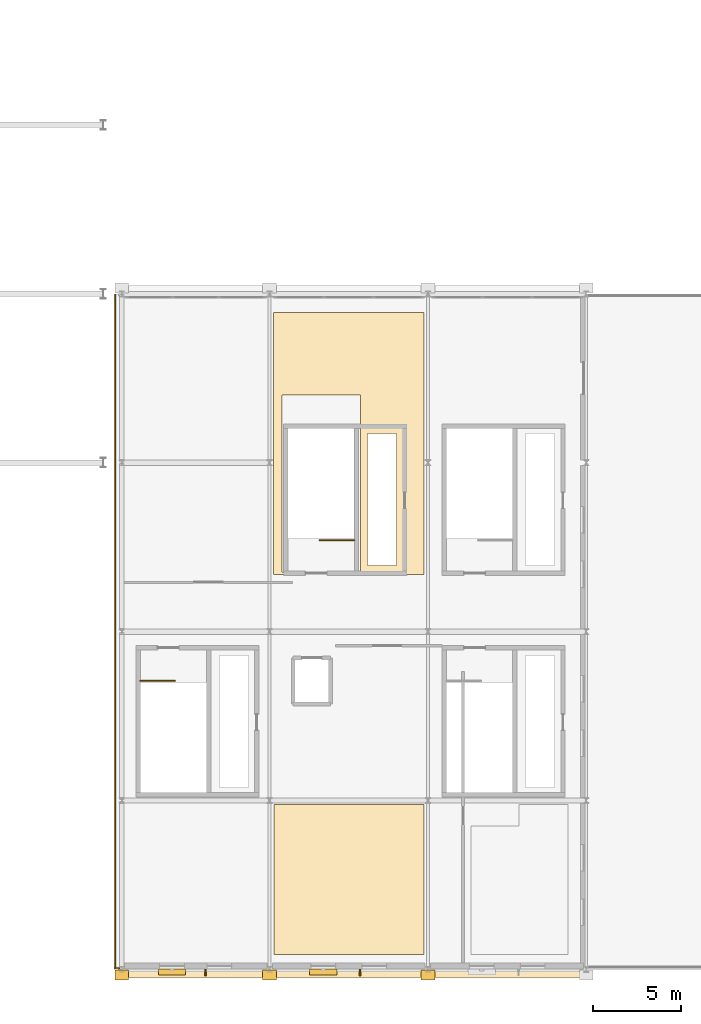
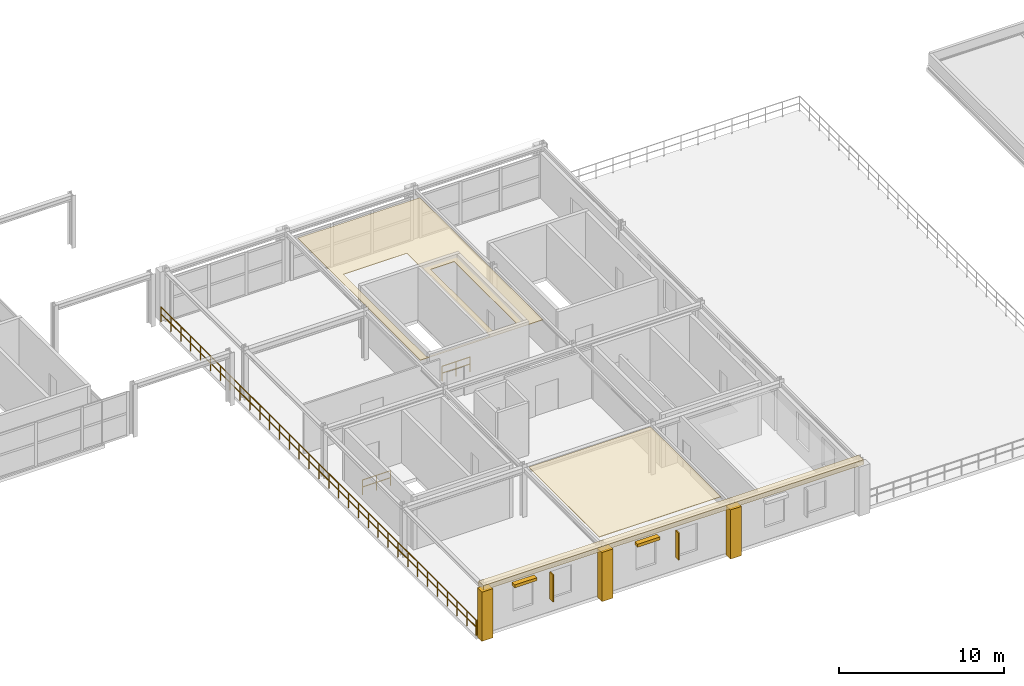
# One storey, part 44 of 52: 6 coverings, 4 railings, 4 shading devices.
"""IFC4 building model written with IfcOpenShell, lengths in metres."""

from ifc_helpers import new_model, si_unit, direction, frame, origin, origin_2d, place, context, subcontext, project, spatial, polyline, rectangle, outline, extrude, material, layer, layer_set, type_object, element, save


model = new_model("IFC4")

# Units and contexts
model_context = context("Model", 3, precision=1e-05, world=origin(), true_north=direction((0.0, 1.0)))
body_context = subcontext(model_context, "Body", "Model", "MODEL_VIEW")
ifc_project = project(units=[si_unit("LENGTHUNIT", "METRE"), si_unit("AREAUNIT", "SQUARE_METRE"), si_unit("VOLUMEUNIT", "CUBIC_METRE"), si_unit("PLANEANGLEUNIT", "RADIAN"), si_unit("MASSUNIT", "GRAM", prefix="KILO")], contexts=[model_context])

# Site, building, storey
site_placement = place(None, origin())
site = spatial("IfcSite", under=ifc_project, at=site_placement, CompositionType="ELEMENT")
building_placement = place(site_placement, origin())
building = spatial("IfcBuilding", under=site, at=building_placement, Name="Myrtia Square Station", CompositionType="ELEMENT")
storey_placement = place(building_placement, frame((0.0, 0.0, 15.0)))
storey = spatial("IfcBuildingStorey", under=building, at=storey_placement, Name="L03", CompositionType="ELEMENT", Elevation=15.0)

# Coverings
ifc_material_1 = material(Name="Pentelic marble ashlar", Category="masonry")
ifc_layer_1 = layer(ifc_material_1, 0.4599609375, Name="Pentelic marble ashlar")
ifc_layer_set_1 = layer_set([ifc_layer_1], Name="Pentelic marble ashlar")
covering_type_1 = type_object("IfcCoveringType", Name="COV-ARCH-ASHLAR", PredefinedType="CLADDING", material=ifc_layer_set_1)
for number, where, z_axis, x_axis, name in (
    (1, (117.60009765625, -0.320068359375, -0.0400390625), (0.0, 0.0, 1.0), (1.0, 0.0, 0.0), "Classical Pentelic ashlar pilaster 008"),
    (2, (126.0, -0.320068359375, -0.0400390625), (0.0, 0.0, 1.0), (1.0, 0.0, 0.0), "Classical Pentelic ashlar pilaster 016"),
    (3, (135.0, -0.320068359375, -0.0400390625), (0.0, 0.0, 1.0), (1.0, 0.0, 0.0), "Classical Pentelic ashlar pilaster 024"),
):
    element("IfcCovering", number, at=place(storey_placement, frame(where, z_axis=z_axis, x_axis=x_axis)), inside=storey, type_object=covering_type_1, Name=name, PredefinedType="CLADDING", context=body_context, shape_type="SweptSolid", body=[
        extrude(rectangle(XDim=0.780029296875, YDim=0.56005859375, at=origin_2d()), origin(), (0.0, 0.0, 1.0), 3.639892578125),
    ])
ifc_material_2 = material(Name="Gypsum plasterboard")
ifc_layer_2 = layer(ifc_material_2, 0.034912109375, Name="Gypsum plasterboard")
ifc_layer_set_2 = layer_set([ifc_layer_2], Name="Gypsum plasterboard")
covering_type_2 = type_object("IfcCoveringType", Name="COV-CEIL-ACOUSTIC", PredefinedType="CEILING", material=ifc_layer_set_2)
covering_1_placement = place(storey_placement, frame((0.0, 0.0, 3.6201171875)))
element("IfcCovering", 4, at=covering_1_placement, inside=storey, type_object=covering_type_2, Name="Acoustic coffer ceiling L03-07", PredefinedType="CEILING", context=body_context, shape_type="SweptSolid", body=[
    extrude(outline(polyline([(134.780029296875, 37.35009765625), (134.780029296875, 28.85009765625), (134.781005859375, 28.828369140625), (134.7841796875, 28.80712890625), (134.785888671875, 28.800048828125), (134.7841796875, 28.79296875), (134.781005859375, 28.771484375), (134.780029296875, 28.75), (134.780029296875, 22.449951171875), (126.219970703125, 22.449951171875), (126.219970703125, 28.75), (126.218994140625, 28.771484375), (126.2158203125, 28.79296875), (126.214111328125, 28.800048828125), (126.2158203125, 28.80712890625), (126.218994140625, 28.828369140625), (126.219970703125, 28.85009765625), (126.219970703125, 37.35009765625), (134.780029296875, 37.35009765625)]), holes=[polyline([(131.550048828125, 30.449951171875), (131.550048828125, 22.949951171875), (133.199951171875, 22.949951171875), (133.199951171875, 30.449951171875), (131.550048828125, 30.449951171875)]), polyline([(126.699951171875, 22.580078125), (131.159912109375, 22.580078125), (131.159912109375, 32.64990234375), (126.699951171875, 32.64990234375), (126.699951171875, 22.580078125)])]), origin(), (0.0, 0.0, 1.0), 0.034912109375),
])
ifc_material_3 = material(Name="Acoustic European oak timber", Category="wood")
ifc_layer_3 = layer(ifc_material_3, 0.044921875, Name="Acoustic European oak timber")
ifc_layer_set_3 = layer_set([ifc_layer_3], Name="Acoustic European oak timber")
covering_type_3 = type_object("IfcCoveringType", Name="COV-CEIL-OAK", PredefinedType="CEILING", material=ifc_layer_set_3)
covering_2_placement = place(storey_placement, frame((0.0, 0.0, 3.610107421875)))
element("IfcCovering", 5, at=covering_2_placement, inside=storey, type_object=covering_type_3, Name="Acoustic coffer ceiling L03-08", PredefinedType="CEILING", context=body_context, shape_type="SweptSolid", body=[
    extrude(outline(polyline([(126.25, 9.3798828125), (134.780029296875, 9.3798828125), (134.780029296875, 0.85009765625), (126.25, 0.85009765625), (126.25, 9.3798828125)])), origin(), (0.0, 0.0, 1.0), 0.044921875),
])
ifc_layer_4 = layer(ifc_material_1, 0.47998046875, Name="Pentelic marble ashlar")
ifc_layer_set_4 = layer_set([ifc_layer_4], Name="Pentelic marble ashlar")
covering_type_4 = type_object("IfcCoveringType", Name="COV-CORNICE-ASHLAR", PredefinedType="MOLDING", material=ifc_layer_set_4)
covering_3_placement = place(storey_placement, frame((130.699951171875, -0.169921875, 3.580078125), z_axis=(0.0, 0.0, 1.0), x_axis=(1.0, 0.0, 0.0)))
element("IfcCovering", 6, at=covering_3_placement, inside=storey, type_object=covering_type_4, Name="Classical entablature cornice moulding 007", PredefinedType="MOLDING", context=body_context, shape_type="SweptSolid", body=[
    extrude(rectangle(XDim=26.60009765625, YDim=0.580078125, at=origin_2d()), origin(), (0.0, 0.0, 1.0), 0.360107421875),
])

# Railings
ifc_material_4 = material(Name="Wrought iron", Category="steel")
railing_type = type_object("IfcRailingType", Name="RL-INT-GUARD-1100", PredefinedType="BALUSTRADE", material=ifc_material_4)
railing_1_placement = place(storey_placement, frame((118.64990234375, 16.39990234375, 0.0)))
element("IfcRailing", 7, at=railing_1_placement, inside=storey, type_object=railing_type, Name="L03 ST05 top well guard 1", PredefinedType="BALUSTRADE", context=body_context, shape_type="SweptSolid", body=[
    extrude(rectangle(XDim=0.048095703125, YDim=0.048095703125, at=origin_2d()), frame((0.03466796875, 0.0, 1.09619140625), z_axis=(1.0, 0.0, 0.0), x_axis=(0.0, 1.0, 0.0)), (0.0, 0.0, 1.0), 0.910888671875),
    extrude(rectangle(XDim=0.048095703125, YDim=0.048095703125, at=origin_2d()), frame((0.03466796875, 0.0, 0.58251953125), z_axis=(1.0, 0.0, 0.0), x_axis=(0.0, 1.0, 0.0)), (0.0, 0.0, 1.0), 0.910888671875),
    extrude(rectangle(XDim=0.048095703125, YDim=0.048095703125, at=origin_2d()), frame((1.0146484375, 0.0, 1.09619140625), z_axis=(1.0, 0.0, 0.0), x_axis=(0.0, 1.0, 0.0)), (0.0, 0.0, 1.0), 0.910888671875),
    extrude(rectangle(XDim=0.048095703125, YDim=0.048095703125, at=origin_2d()), frame((1.0146484375, 0.0, 0.58251953125), z_axis=(1.0, 0.0, 0.0), x_axis=(0.0, 1.0, 0.0)), (0.0, 0.0, 1.0), 0.910888671875),
    extrude(rectangle(XDim=0.0439453125, YDim=0.0439453125, at=origin_2d()), origin(), (0.0, 0.0, 1.0), 1.1201171875),
    extrude(rectangle(XDim=0.0439453125, YDim=0.0439453125, at=origin_2d()), frame((0.97998046875, 0.0, 0.0)), (0.0, 0.0, 1.0), 1.1201171875),
    extrude(rectangle(XDim=0.0439453125, YDim=0.0439453125, at=origin_2d()), frame((1.960205078125, 0.0, 0.0)), (0.0, 0.0, 1.0), 1.1201171875),
])
railing_2_placement = place(storey_placement, frame((130.81005859375, 24.39990234375, 0.0)))
element("IfcRailing", 8, at=railing_2_placement, inside=storey, type_object=railing_type, Name="L03 ST10 top well guard 1", PredefinedType="BALUSTRADE", context=body_context, shape_type="SweptSolid", body=[
    extrude(rectangle(XDim=0.048095703125, YDim=0.048095703125, at=origin_2d()), frame((-0.03466796875, 0.0, 1.09619140625), z_axis=(-1.0, 0.0, 0.0), x_axis=(0.0, -1.0, 0.0)), (0.0, 0.0, 1.0), 0.91064453125),
    extrude(rectangle(XDim=0.048095703125, YDim=0.048095703125, at=origin_2d()), frame((-0.03466796875, 0.0, 0.58251953125), z_axis=(-1.0, 0.0, 0.0), x_axis=(0.0, -1.0, 0.0)), (0.0, 0.0, 1.0), 0.91064453125),
    extrude(rectangle(XDim=0.048095703125, YDim=0.048095703125, at=origin_2d()), frame((-1.0146484375, 0.0, 1.09619140625), z_axis=(-1.0, 0.0, 0.0), x_axis=(0.0, -1.0, 0.0)), (0.0, 0.0, 1.0), 0.91064453125),
    extrude(rectangle(XDim=0.048095703125, YDim=0.048095703125, at=origin_2d()), frame((-1.0146484375, 0.0, 0.58251953125), z_axis=(-1.0, 0.0, 0.0), x_axis=(0.0, -1.0, 0.0)), (0.0, 0.0, 1.0), 0.91064453125),
    extrude(rectangle(XDim=0.0439453125, YDim=0.0439453125, at=origin_2d()), origin(), (0.0, 0.0, 1.0), 1.1201171875),
    extrude(rectangle(XDim=0.0439453125, YDim=0.0439453125, at=origin_2d()), frame((-0.97998046875, 0.0, 0.0)), (0.0, 0.0, 1.0), 1.1201171875),
    extrude(rectangle(XDim=0.0439453125, YDim=0.0439453125, at=origin_2d()), frame((-1.9599609375, 0.0, 0.0)), (0.0, 0.0, 1.0), 1.1201171875),
])
railing_3_placement = place(storey_placement, frame((117.199951171875, 0.080078125, 0.0)))
element("IfcRailing", 9, at=railing_3_placement, inside=storey, type_object=railing_type, Name="Perimeter slab edge balustrade L03-062", PredefinedType="BALUSTRADE", context=body_context, shape_type="SweptSolid", body=[
    extrude(rectangle(XDim=0.048095703125, YDim=0.048095703125, at=origin_2d()), frame((0.03466796875, 0.0, 1.09619140625), z_axis=(1.0, 0.0, 0.0), x_axis=(0.0, 1.0, 0.0)), (0.0, 0.0, 1.0), 0.1806640625),
    extrude(rectangle(XDim=0.048095703125, YDim=0.048095703125, at=origin_2d()), frame((0.03466796875, 0.0, 0.58251953125), z_axis=(1.0, 0.0, 0.0), x_axis=(0.0, 1.0, 0.0)), (0.0, 0.0, 1.0), 0.1806640625),
    extrude(rectangle(XDim=0.0439453125, YDim=0.0439453125, at=origin_2d()), origin(), (0.0, 0.0, 1.0), 1.1201171875),
    extrude(rectangle(XDim=0.0439453125, YDim=0.0439453125, at=origin_2d()), frame((0.25, 0.0, 0.0)), (0.0, 0.0, 1.0), 1.1201171875),
])
railing_4_placement = place(storey_placement, frame((117.22998046875, 38.35009765625, 0.0)))
element("IfcRailing", 10, at=railing_4_placement, inside=storey, type_object=railing_type, Name="Perimeter slab edge balustrade L03-063", PredefinedType="BALUSTRADE", context=body_context, shape_type="SweptSolid", body=[
    extrude(rectangle(XDim=0.048095703125, YDim=0.048095703125, at=origin_2d()), frame((0.0, -0.03466796875, 1.09619140625), z_axis=(0.0, -1.0, 0.0), x_axis=(1.0, 0.0, 0.0)), (0.0, 0.0, 1.0), 1.127685546875),
    extrude(rectangle(XDim=0.048095703125, YDim=0.048095703125, at=origin_2d()), frame((0.0, -0.03466796875, 0.58251953125), z_axis=(0.0, -1.0, 0.0), x_axis=(1.0, 0.0, 0.0)), (0.0, 0.0, 1.0), 1.127685546875),
    extrude(rectangle(XDim=0.048095703125, YDim=0.048095703125, at=origin_2d()), frame((0.0, -1.2314453125, 1.09619140625), z_axis=(0.0, -1.0, 0.0), x_axis=(1.0, 0.0, 0.0)), (0.0, 0.0, 1.0), 1.127685546875),
    extrude(rectangle(XDim=0.048095703125, YDim=0.048095703125, at=origin_2d()), frame((0.0, -1.2314453125, 0.58251953125), z_axis=(0.0, -1.0, 0.0), x_axis=(1.0, 0.0, 0.0)), (0.0, 0.0, 1.0), 1.127685546875),
    extrude(rectangle(XDim=0.048095703125, YDim=0.048095703125, at=origin_2d()), frame((0.0, -2.428466796875, 1.09619140625), z_axis=(0.0, -1.0, 0.0), x_axis=(1.0, 0.0, 0.0)), (0.0, 0.0, 1.0), 1.127685546875),
    extrude(rectangle(XDim=0.048095703125, YDim=0.048095703125, at=origin_2d()), frame((0.0, -2.428466796875, 0.58251953125), z_axis=(0.0, -1.0, 0.0), x_axis=(1.0, 0.0, 0.0)), (0.0, 0.0, 1.0), 1.127685546875),
    extrude(rectangle(XDim=0.048095703125, YDim=0.048095703125, at=origin_2d()), frame((0.0, -3.625244140625, 1.09619140625), z_axis=(0.0, -1.0, 0.0), x_axis=(1.0, 0.0, 0.0)), (0.0, 0.0, 1.0), 1.127685546875),
    extrude(rectangle(XDim=0.048095703125, YDim=0.048095703125, at=origin_2d()), frame((0.0, -3.625244140625, 0.58251953125), z_axis=(0.0, -1.0, 0.0), x_axis=(1.0, 0.0, 0.0)), (0.0, 0.0, 1.0), 1.127685546875),
    extrude(rectangle(XDim=0.048095703125, YDim=0.048095703125, at=origin_2d()), frame((0.0, -4.822265625, 1.09619140625), z_axis=(0.0, -1.0, 0.0), x_axis=(1.0, 0.0, 0.0)), (0.0, 0.0, 1.0), 1.127685546875),
    extrude(rectangle(XDim=0.048095703125, YDim=0.048095703125, at=origin_2d()), frame((0.0, -4.822265625, 0.58251953125), z_axis=(0.0, -1.0, 0.0), x_axis=(1.0, 0.0, 0.0)), (0.0, 0.0, 1.0), 1.127685546875),
    extrude(rectangle(XDim=0.048095703125, YDim=0.048095703125, at=origin_2d()), frame((0.0, -6.01904296875, 1.09619140625), z_axis=(0.0, -1.0, 0.0), x_axis=(1.0, 0.0, 0.0)), (0.0, 0.0, 1.0), 1.127685546875),
    extrude(rectangle(XDim=0.048095703125, YDim=0.048095703125, at=origin_2d()), frame((0.0, -6.01904296875, 0.58251953125), z_axis=(0.0, -1.0, 0.0), x_axis=(1.0, 0.0, 0.0)), (0.0, 0.0, 1.0), 1.127685546875),
    extrude(rectangle(XDim=0.048095703125, YDim=0.048095703125, at=origin_2d()), frame((0.0, -7.2158203125, 1.09619140625), z_axis=(0.0, -1.0, 0.0), x_axis=(1.0, 0.0, 0.0)), (0.0, 0.0, 1.0), 1.127685546875),
    extrude(rectangle(XDim=0.048095703125, YDim=0.048095703125, at=origin_2d()), frame((0.0, -7.2158203125, 0.58251953125), z_axis=(0.0, -1.0, 0.0), x_axis=(1.0, 0.0, 0.0)), (0.0, 0.0, 1.0), 1.127685546875),
    extrude(rectangle(XDim=0.048095703125, YDim=0.048095703125, at=origin_2d()), frame((0.0, -8.412841796875, 1.09619140625), z_axis=(0.0, -1.0, 0.0), x_axis=(1.0, 0.0, 0.0)), (0.0, 0.0, 1.0), 1.127685546875),
    extrude(rectangle(XDim=0.048095703125, YDim=0.048095703125, at=origin_2d()), frame((0.0, -8.412841796875, 0.58251953125), z_axis=(0.0, -1.0, 0.0), x_axis=(1.0, 0.0, 0.0)), (0.0, 0.0, 1.0), 1.127685546875),
    extrude(rectangle(XDim=0.048095703125, YDim=0.048095703125, at=origin_2d()), frame((0.0, -9.609619140625, 1.09619140625), z_axis=(0.0, -1.0, 0.0), x_axis=(1.0, 0.0, 0.0)), (0.0, 0.0, 1.0), 1.127685546875),
    extrude(rectangle(XDim=0.048095703125, YDim=0.048095703125, at=origin_2d()), frame((0.0, -9.609619140625, 0.58251953125), z_axis=(0.0, -1.0, 0.0), x_axis=(1.0, 0.0, 0.0)), (0.0, 0.0, 1.0), 1.127685546875),
    extrude(rectangle(XDim=0.048095703125, YDim=0.048095703125, at=origin_2d()), frame((0.0, -10.806640625, 1.09619140625), z_axis=(0.0, -1.0, 0.0), x_axis=(1.0, 0.0, 0.0)), (0.0, 0.0, 1.0), 1.127685546875),
    extrude(rectangle(XDim=0.048095703125, YDim=0.048095703125, at=origin_2d()), frame((0.0, -10.806640625, 0.58251953125), z_axis=(0.0, -1.0, 0.0), x_axis=(1.0, 0.0, 0.0)), (0.0, 0.0, 1.0), 1.127685546875),
    extrude(rectangle(XDim=0.048095703125, YDim=0.048095703125, at=origin_2d()), frame((0.0, -12.00341796875, 1.09619140625), z_axis=(0.0, -1.0, 0.0), x_axis=(1.0, 0.0, 0.0)), (0.0, 0.0, 1.0), 1.127685546875),
    extrude(rectangle(XDim=0.048095703125, YDim=0.048095703125, at=origin_2d()), frame((0.0, -12.00341796875, 0.58251953125), z_axis=(0.0, -1.0, 0.0), x_axis=(1.0, 0.0, 0.0)), (0.0, 0.0, 1.0), 1.127685546875),
    extrude(rectangle(XDim=0.048095703125, YDim=0.048095703125, at=origin_2d()), frame((0.0, -13.2001953125, 1.09619140625), z_axis=(0.0, -1.0, 0.0), x_axis=(1.0, 0.0, 0.0)), (0.0, 0.0, 1.0), 1.127685546875),
    extrude(rectangle(XDim=0.048095703125, YDim=0.048095703125, at=origin_2d()), frame((0.0, -13.2001953125, 0.58251953125), z_axis=(0.0, -1.0, 0.0), x_axis=(1.0, 0.0, 0.0)), (0.0, 0.0, 1.0), 1.127685546875),
    extrude(rectangle(XDim=0.048095703125, YDim=0.048095703125, at=origin_2d()), frame((0.0, -14.397216796875, 1.09619140625), z_axis=(0.0, -1.0, 0.0), x_axis=(1.0, 0.0, 0.0)), (0.0, 0.0, 1.0), 1.127685546875),
    extrude(rectangle(XDim=0.048095703125, YDim=0.048095703125, at=origin_2d()), frame((0.0, -14.397216796875, 0.58251953125), z_axis=(0.0, -1.0, 0.0), x_axis=(1.0, 0.0, 0.0)), (0.0, 0.0, 1.0), 1.127685546875),
    extrude(rectangle(XDim=0.048095703125, YDim=0.048095703125, at=origin_2d()), frame((0.0, -15.593994140625, 1.09619140625), z_axis=(0.0, -1.0, 0.0), x_axis=(1.0, 0.0, 0.0)), (0.0, 0.0, 1.0), 1.127685546875),
    extrude(rectangle(XDim=0.048095703125, YDim=0.048095703125, at=origin_2d()), frame((0.0, -15.593994140625, 0.58251953125), z_axis=(0.0, -1.0, 0.0), x_axis=(1.0, 0.0, 0.0)), (0.0, 0.0, 1.0), 1.127685546875),
    extrude(rectangle(XDim=0.048095703125, YDim=0.048095703125, at=origin_2d()), frame((0.0, -16.791015625, 1.09619140625), z_axis=(0.0, -1.0, 0.0), x_axis=(1.0, 0.0, 0.0)), (0.0, 0.0, 1.0), 1.127685546875),
    extrude(rectangle(XDim=0.048095703125, YDim=0.048095703125, at=origin_2d()), frame((0.0, -16.791015625, 0.58251953125), z_axis=(0.0, -1.0, 0.0), x_axis=(1.0, 0.0, 0.0)), (0.0, 0.0, 1.0), 1.127685546875),
    extrude(rectangle(XDim=0.048095703125, YDim=0.048095703125, at=origin_2d()), frame((0.0, -17.98779296875, 1.09619140625), z_axis=(0.0, -1.0, 0.0), x_axis=(1.0, 0.0, 0.0)), (0.0, 0.0, 1.0), 1.127685546875),
    extrude(rectangle(XDim=0.048095703125, YDim=0.048095703125, at=origin_2d()), frame((0.0, -17.98779296875, 0.58251953125), z_axis=(0.0, -1.0, 0.0), x_axis=(1.0, 0.0, 0.0)), (0.0, 0.0, 1.0), 1.127685546875),
    extrude(rectangle(XDim=0.048095703125, YDim=0.048095703125, at=origin_2d()), frame((0.0, -19.1845703125, 1.09619140625), z_axis=(0.0, -1.0, 0.0), x_axis=(1.0, 0.0, 0.0)), (0.0, 0.0, 1.0), 1.127685546875),
    extrude(rectangle(XDim=0.048095703125, YDim=0.048095703125, at=origin_2d()), frame((0.0, -19.1845703125, 0.58251953125), z_axis=(0.0, -1.0, 0.0), x_axis=(1.0, 0.0, 0.0)), (0.0, 0.0, 1.0), 1.127685546875),
    extrude(rectangle(XDim=0.048095703125, YDim=0.048095703125, at=origin_2d()), frame((0.0, -20.381591796875, 1.09619140625), z_axis=(0.0, -1.0, 0.0), x_axis=(1.0, 0.0, 0.0)), (0.0, 0.0, 1.0), 1.127685546875),
    extrude(rectangle(XDim=0.048095703125, YDim=0.048095703125, at=origin_2d()), frame((0.0, -20.381591796875, 0.58251953125), z_axis=(0.0, -1.0, 0.0), x_axis=(1.0, 0.0, 0.0)), (0.0, 0.0, 1.0), 1.127685546875),
    extrude(rectangle(XDim=0.048095703125, YDim=0.048095703125, at=origin_2d()), frame((0.0, -21.578369140625, 1.09619140625), z_axis=(0.0, -1.0, 0.0), x_axis=(1.0, 0.0, 0.0)), (0.0, 0.0, 1.0), 1.127685546875),
    extrude(rectangle(XDim=0.048095703125, YDim=0.048095703125, at=origin_2d()), frame((0.0, -21.578369140625, 0.58251953125), z_axis=(0.0, -1.0, 0.0), x_axis=(1.0, 0.0, 0.0)), (0.0, 0.0, 1.0), 1.127685546875),
    extrude(rectangle(XDim=0.048095703125, YDim=0.048095703125, at=origin_2d()), frame((0.0, -22.775390625, 1.09619140625), z_axis=(0.0, -1.0, 0.0), x_axis=(1.0, 0.0, 0.0)), (0.0, 0.0, 1.0), 1.127685546875),
    extrude(rectangle(XDim=0.048095703125, YDim=0.048095703125, at=origin_2d()), frame((0.0, -22.775390625, 0.58251953125), z_axis=(0.0, -1.0, 0.0), x_axis=(1.0, 0.0, 0.0)), (0.0, 0.0, 1.0), 1.127685546875),
    extrude(rectangle(XDim=0.048095703125, YDim=0.048095703125, at=origin_2d()), frame((0.0, -23.97216796875, 1.09619140625), z_axis=(0.0, -1.0, 0.0), x_axis=(1.0, 0.0, 0.0)), (0.0, 0.0, 1.0), 1.127685546875),
    extrude(rectangle(XDim=0.048095703125, YDim=0.048095703125, at=origin_2d()), frame((0.0, -23.97216796875, 0.58251953125), z_axis=(0.0, -1.0, 0.0), x_axis=(1.0, 0.0, 0.0)), (0.0, 0.0, 1.0), 1.127685546875),
    extrude(rectangle(XDim=0.048095703125, YDim=0.048095703125, at=origin_2d()), frame((0.0, -25.1689453125, 1.09619140625), z_axis=(0.0, -1.0, 0.0), x_axis=(1.0, 0.0, 0.0)), (0.0, 0.0, 1.0), 1.127685546875),
    extrude(rectangle(XDim=0.048095703125, YDim=0.048095703125, at=origin_2d()), frame((0.0, -25.1689453125, 0.58251953125), z_axis=(0.0, -1.0, 0.0), x_axis=(1.0, 0.0, 0.0)), (0.0, 0.0, 1.0), 1.127685546875),
    extrude(rectangle(XDim=0.048095703125, YDim=0.048095703125, at=origin_2d()), frame((0.0, -26.365966796875, 1.09619140625), z_axis=(0.0, -1.0, 0.0), x_axis=(1.0, 0.0, 0.0)), (0.0, 0.0, 1.0), 1.127685546875),
    extrude(rectangle(XDim=0.048095703125, YDim=0.048095703125, at=origin_2d()), frame((0.0, -26.365966796875, 0.58251953125), z_axis=(0.0, -1.0, 0.0), x_axis=(1.0, 0.0, 0.0)), (0.0, 0.0, 1.0), 1.127685546875),
    extrude(rectangle(XDim=0.048095703125, YDim=0.048095703125, at=origin_2d()), frame((0.0, -27.562744140625, 1.09619140625), z_axis=(0.0, -1.0, 0.0), x_axis=(1.0, 0.0, 0.0)), (0.0, 0.0, 1.0), 1.127685546875),
    extrude(rectangle(XDim=0.048095703125, YDim=0.048095703125, at=origin_2d()), frame((0.0, -27.562744140625, 0.58251953125), z_axis=(0.0, -1.0, 0.0), x_axis=(1.0, 0.0, 0.0)), (0.0, 0.0, 1.0), 1.127685546875),
    extrude(rectangle(XDim=0.048095703125, YDim=0.048095703125, at=origin_2d()), frame((0.0, -28.759765625, 1.09619140625), z_axis=(0.0, -1.0, 0.0), x_axis=(1.0, 0.0, 0.0)), (0.0, 0.0, 1.0), 1.127685546875),
    extrude(rectangle(XDim=0.048095703125, YDim=0.048095703125, at=origin_2d()), frame((0.0, -28.759765625, 0.58251953125), z_axis=(0.0, -1.0, 0.0), x_axis=(1.0, 0.0, 0.0)), (0.0, 0.0, 1.0), 1.127685546875),
    extrude(rectangle(XDim=0.048095703125, YDim=0.048095703125, at=origin_2d()), frame((0.0, -29.95654296875, 1.09619140625), z_axis=(0.0, -1.0, 0.0), x_axis=(1.0, 0.0, 0.0)), (0.0, 0.0, 1.0), 1.127685546875),
    extrude(rectangle(XDim=0.048095703125, YDim=0.048095703125, at=origin_2d()), frame((0.0, -29.95654296875, 0.58251953125), z_axis=(0.0, -1.0, 0.0), x_axis=(1.0, 0.0, 0.0)), (0.0, 0.0, 1.0), 1.127685546875),
    extrude(rectangle(XDim=0.048095703125, YDim=0.048095703125, at=origin_2d()), frame((0.0, -31.1533203125, 1.09619140625), z_axis=(0.0, -1.0, 0.0), x_axis=(1.0, 0.0, 0.0)), (0.0, 0.0, 1.0), 1.127685546875),
    extrude(rectangle(XDim=0.048095703125, YDim=0.048095703125, at=origin_2d()), frame((0.0, -31.1533203125, 0.58251953125), z_axis=(0.0, -1.0, 0.0), x_axis=(1.0, 0.0, 0.0)), (0.0, 0.0, 1.0), 1.127685546875),
    extrude(rectangle(XDim=0.048095703125, YDim=0.048095703125, at=origin_2d()), frame((0.0, -32.350341796875, 1.09619140625), z_axis=(0.0, -1.0, 0.0), x_axis=(1.0, 0.0, 0.0)), (0.0, 0.0, 1.0), 1.127685546875),
    extrude(rectangle(XDim=0.048095703125, YDim=0.048095703125, at=origin_2d()), frame((0.0, -32.350341796875, 0.58251953125), z_axis=(0.0, -1.0, 0.0), x_axis=(1.0, 0.0, 0.0)), (0.0, 0.0, 1.0), 1.127685546875),
    extrude(rectangle(XDim=0.048095703125, YDim=0.048095703125, at=origin_2d()), frame((0.0, -33.547119140625, 1.09619140625), z_axis=(0.0, -1.0, 0.0), x_axis=(1.0, 0.0, 0.0)), (0.0, 0.0, 1.0), 1.127685546875),
    extrude(rectangle(XDim=0.048095703125, YDim=0.048095703125, at=origin_2d()), frame((0.0, -33.547119140625, 0.58251953125), z_axis=(0.0, -1.0, 0.0), x_axis=(1.0, 0.0, 0.0)), (0.0, 0.0, 1.0), 1.127685546875),
    extrude(rectangle(XDim=0.048095703125, YDim=0.048095703125, at=origin_2d()), frame((0.0, -34.744140625, 1.09619140625), z_axis=(0.0, -1.0, 0.0), x_axis=(1.0, 0.0, 0.0)), (0.0, 0.0, 1.0), 1.127685546875),
    extrude(rectangle(XDim=0.048095703125, YDim=0.048095703125, at=origin_2d()), frame((0.0, -34.744140625, 0.58251953125), z_axis=(0.0, -1.0, 0.0), x_axis=(1.0, 0.0, 0.0)), (0.0, 0.0, 1.0), 1.127685546875),
    extrude(rectangle(XDim=0.048095703125, YDim=0.048095703125, at=origin_2d()), frame((0.0, -35.94091796875, 1.09619140625), z_axis=(0.0, -1.0, 0.0), x_axis=(1.0, 0.0, 0.0)), (0.0, 0.0, 1.0), 1.127685546875),
    extrude(rectangle(XDim=0.048095703125, YDim=0.048095703125, at=origin_2d()), frame((0.0, -35.94091796875, 0.58251953125), z_axis=(0.0, -1.0, 0.0), x_axis=(1.0, 0.0, 0.0)), (0.0, 0.0, 1.0), 1.127685546875),
    extrude(rectangle(XDim=0.048095703125, YDim=0.048095703125, at=origin_2d()), frame((0.0, -37.1376953125, 1.09619140625), z_axis=(0.0, -1.0, 0.0), x_axis=(1.0, 0.0, 0.0)), (0.0, 0.0, 1.0), 1.127685546875),
    extrude(rectangle(XDim=0.048095703125, YDim=0.048095703125, at=origin_2d()), frame((0.0, -37.1376953125, 0.58251953125), z_axis=(0.0, -1.0, 0.0), x_axis=(1.0, 0.0, 0.0)), (0.0, 0.0, 1.0), 1.127685546875),
    extrude(rectangle(XDim=0.0439453125, YDim=0.0439453125, at=origin_2d()), origin(), (0.0, 0.0, 1.0), 1.1201171875),
    extrude(rectangle(XDim=0.0439453125, YDim=0.0439453125, at=origin_2d()), frame((0.0, -1.19677734375, 0.0)), (0.0, 0.0, 1.0), 1.1201171875),
    extrude(rectangle(XDim=0.0439453125, YDim=0.0439453125, at=origin_2d()), frame((0.0, -2.393798828125, 0.0)), (0.0, 0.0, 1.0), 1.1201171875),
    extrude(rectangle(XDim=0.0439453125, YDim=0.0439453125, at=origin_2d()), frame((0.0, -3.590576171875, 0.0)), (0.0, 0.0, 1.0), 1.1201171875),
    extrude(rectangle(XDim=0.0439453125, YDim=0.0439453125, at=origin_2d()), frame((0.0, -4.78759765625, 0.0)), (0.0, 0.0, 1.0), 1.1201171875),
    extrude(rectangle(XDim=0.0439453125, YDim=0.0439453125, at=origin_2d()), frame((0.0, -5.984375, 0.0)), (0.0, 0.0, 1.0), 1.1201171875),
    extrude(rectangle(XDim=0.0439453125, YDim=0.0439453125, at=origin_2d()), frame((0.0, -7.18115234375, 0.0)), (0.0, 0.0, 1.0), 1.1201171875),
    extrude(rectangle(XDim=0.0439453125, YDim=0.0439453125, at=origin_2d()), frame((0.0, -8.378173828125, 0.0)), (0.0, 0.0, 1.0), 1.1201171875),
    extrude(rectangle(XDim=0.0439453125, YDim=0.0439453125, at=origin_2d()), frame((0.0, -9.574951171875, 0.0)), (0.0, 0.0, 1.0), 1.1201171875),
    extrude(rectangle(XDim=0.0439453125, YDim=0.0439453125, at=origin_2d()), frame((0.0, -10.77197265625, 0.0)), (0.0, 0.0, 1.0), 1.1201171875),
    extrude(rectangle(XDim=0.0439453125, YDim=0.0439453125, at=origin_2d()), frame((0.0, -11.96875, 0.0)), (0.0, 0.0, 1.0), 1.1201171875),
    extrude(rectangle(XDim=0.0439453125, YDim=0.0439453125, at=origin_2d()), frame((0.0, -13.16552734375, 0.0)), (0.0, 0.0, 1.0), 1.1201171875),
    extrude(rectangle(XDim=0.0439453125, YDim=0.0439453125, at=origin_2d()), frame((0.0, -14.362548828125, 0.0)), (0.0, 0.0, 1.0), 1.1201171875),
    extrude(rectangle(XDim=0.0439453125, YDim=0.0439453125, at=origin_2d()), frame((0.0, -15.559326171875, 0.0)), (0.0, 0.0, 1.0), 1.1201171875),
    extrude(rectangle(XDim=0.0439453125, YDim=0.0439453125, at=origin_2d()), frame((0.0, -16.75634765625, 0.0)), (0.0, 0.0, 1.0), 1.1201171875),
    extrude(rectangle(XDim=0.0439453125, YDim=0.0439453125, at=origin_2d()), frame((0.0, -17.953125, 0.0)), (0.0, 0.0, 1.0), 1.1201171875),
    extrude(rectangle(XDim=0.0439453125, YDim=0.0439453125, at=origin_2d()), frame((0.0, -19.14990234375, 0.0)), (0.0, 0.0, 1.0), 1.1201171875),
    extrude(rectangle(XDim=0.0439453125, YDim=0.0439453125, at=origin_2d()), frame((0.0, -20.346923828125, 0.0)), (0.0, 0.0, 1.0), 1.1201171875),
    extrude(rectangle(XDim=0.0439453125, YDim=0.0439453125, at=origin_2d()), frame((0.0, -21.543701171875, 0.0)), (0.0, 0.0, 1.0), 1.1201171875),
    extrude(rectangle(XDim=0.0439453125, YDim=0.0439453125, at=origin_2d()), frame((0.0, -22.74072265625, 0.0)), (0.0, 0.0, 1.0), 1.1201171875),
    extrude(rectangle(XDim=0.0439453125, YDim=0.0439453125, at=origin_2d()), frame((0.0, -23.9375, 0.0)), (0.0, 0.0, 1.0), 1.1201171875),
    extrude(rectangle(XDim=0.0439453125, YDim=0.0439453125, at=origin_2d()), frame((0.0, -25.134521484375, 0.0)), (0.0, 0.0, 1.0), 1.1201171875),
    extrude(rectangle(XDim=0.0439453125, YDim=0.0439453125, at=origin_2d()), frame((0.0, -26.331298828125, 0.0)), (0.0, 0.0, 1.0), 1.1201171875),
    extrude(rectangle(XDim=0.0439453125, YDim=0.0439453125, at=origin_2d()), frame((0.0, -27.528076171875, 0.0)), (0.0, 0.0, 1.0), 1.1201171875),
    extrude(rectangle(XDim=0.0439453125, YDim=0.0439453125, at=origin_2d()), frame((0.0, -28.72509765625, 0.0)), (0.0, 0.0, 1.0), 1.1201171875),
    extrude(rectangle(XDim=0.0439453125, YDim=0.0439453125, at=origin_2d()), frame((0.0, -29.921875, 0.0)), (0.0, 0.0, 1.0), 1.1201171875),
    extrude(rectangle(XDim=0.0439453125, YDim=0.0439453125, at=origin_2d()), frame((0.0, -31.118896484375, 0.0)), (0.0, 0.0, 1.0), 1.1201171875),
    extrude(rectangle(XDim=0.0439453125, YDim=0.0439453125, at=origin_2d()), frame((0.0, -32.315673828125, 0.0)), (0.0, 0.0, 1.0), 1.1201171875),
    extrude(rectangle(XDim=0.0439453125, YDim=0.0439453125, at=origin_2d()), frame((0.0, -33.512451171875, 0.0)), (0.0, 0.0, 1.0), 1.1201171875),
    extrude(rectangle(XDim=0.0439453125, YDim=0.0439453125, at=origin_2d()), frame((0.0, -34.70947265625, 0.0)), (0.0, 0.0, 1.0), 1.1201171875),
    extrude(rectangle(XDim=0.0439453125, YDim=0.0439453125, at=origin_2d()), frame((0.0, -35.90625, 0.0)), (0.0, 0.0, 1.0), 1.1201171875),
    extrude(rectangle(XDim=0.0439453125, YDim=0.0439453125, at=origin_2d()), frame((0.0, -37.103271484375, 0.0)), (0.0, 0.0, 1.0), 1.1201171875),
    extrude(rectangle(XDim=0.0439453125, YDim=0.0439453125, at=origin_2d()), frame((0.0, -38.300048828125, 0.0)), (0.0, 0.0, 1.0), 1.1201171875),
])

# Shading devices
ifc_material_5 = material(Name="Dark bronze anodised aluminium", Category="aluminium")
shading_device_type_1 = type_object("IfcShadingDeviceType", Name="SHD-FIN-BRONZE", PredefinedType="USERDEFINED", material=ifc_material_5)
for number, where, z_axis, x_axis, name in (
    (11, (122.347900390625, -0.169921875, 0.949951171875), (0.0, 0.0, 1.0), (1.0, 0.0, 0.0), "Vertical bronze solar fin SHF-024"),
    (12, (131.14794921875, -0.169921875, 0.949951171875), (0.0, 0.0, 1.0), (1.0, 0.0, 0.0), "Vertical bronze solar fin SHF-025"),
):
    element("IfcShadingDevice", number, at=place(storey_placement, frame(where, z_axis=z_axis, x_axis=x_axis)), inside=storey, type_object=shading_device_type_1, Name=name, ObjectType="FIN", PredefinedType="USERDEFINED", context=body_context, shape_type="SweptSolid", body=[
        extrude(rectangle(XDim=0.080078125, YDim=0.389892578125, at=origin_2d()), origin(), (0.0, 0.0, 1.0), 2.0),
    ])
shading_device_type_2 = type_object("IfcShadingDeviceType", Name="SHD-JALOUSIE-BRONZE", PredefinedType="JALOUSIE", material=ifc_material_5)
for number, where, z_axis, x_axis, name in (
    (13, (120.451904296875, -0.14990234375, 2.89013671875), (0.0, 0.0, 1.0), (1.0, 0.0, 0.0), "Mediterranean bronze solar louvre SHL-024"),
    (14, (129.052001953125, -0.14990234375, 2.89013671875), (0.0, 0.0, 1.0), (1.0, 0.0, 0.0), "Mediterranean bronze solar louvre SHL-025"),
):
    element("IfcShadingDevice", number, at=place(storey_placement, frame(where, z_axis=z_axis, x_axis=x_axis)), inside=storey, type_object=shading_device_type_2, Name=name, PredefinedType="JALOUSIE", context=body_context, shape_type="SweptSolid", body=[
        extrude(rectangle(XDim=1.56005859375, YDim=0.35009765625, at=origin_2d()), origin(), (0.0, 0.0, 1.0), 0.219970703125),
    ])

save(model, "model.ifc")
